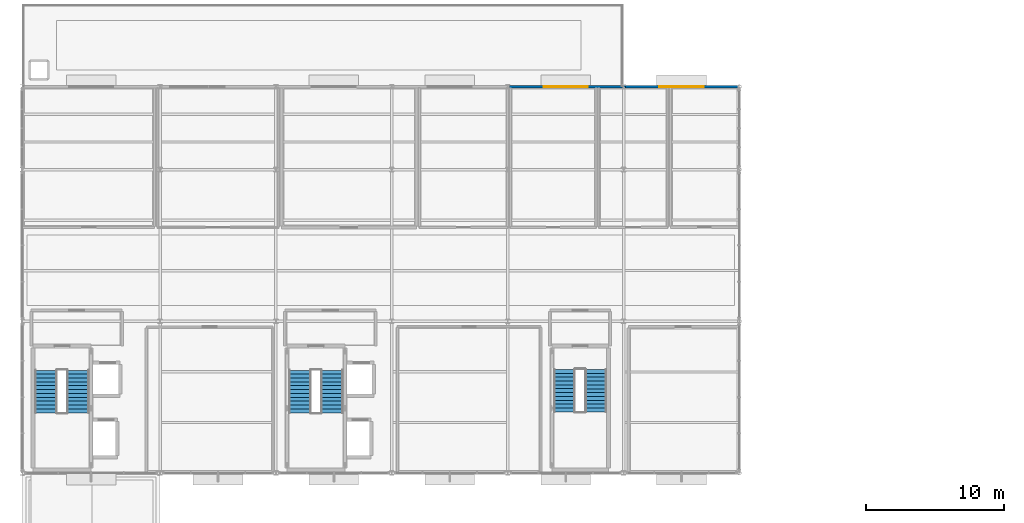
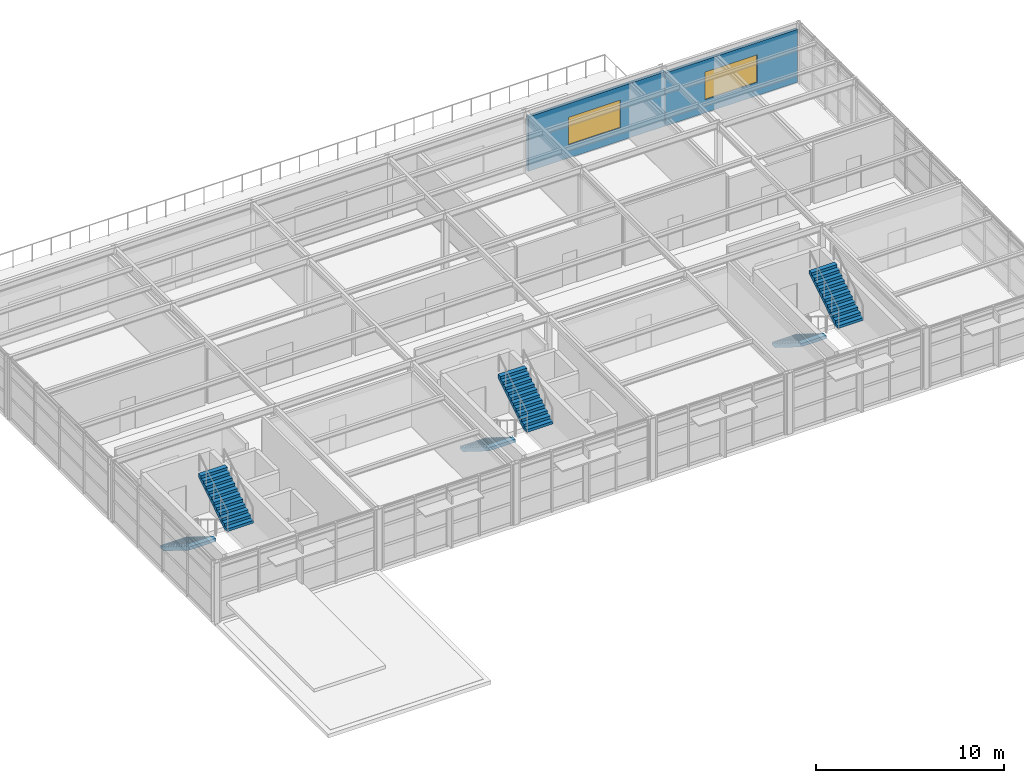
# One storey, part 19 of 21: 6 stair flights, 2 walls, 2 windows, 2 openings, 3 elements without a shape of their own.
"""IFC4 building model written with IfcOpenShell, lengths in metres."""

from ifc_helpers import new_model, si_unit, direction, frame, frame_2d, origin, place, context, subcontext, project, spatial, polyline, rectangle, outline, extrude, material, layer, layer_set, type_object, element, fill, aggregate, save


model = new_model("IFC4")

# Units and contexts
model_context = context("Model", 3, precision=1e-05, world=origin(), true_north=direction((0.0, 1.0)))
body_context = subcontext(model_context, "Body", "Model", "MODEL_VIEW")
ifc_project = project(units=[si_unit("LENGTHUNIT", "METRE"), si_unit("AREAUNIT", "SQUARE_METRE"), si_unit("VOLUMEUNIT", "CUBIC_METRE"), si_unit("PLANEANGLEUNIT", "RADIAN"), si_unit("MASSUNIT", "GRAM", prefix="KILO")], contexts=[model_context])

# Site, building, storey
site_placement = place(None, origin())
site = spatial("IfcSite", under=ifc_project, at=site_placement, CompositionType="ELEMENT")
building_placement = place(site_placement, origin())
building = spatial("IfcBuilding", under=site, at=building_placement, Name="Sitalva Quay Ferry Terminal", CompositionType="ELEMENT")
storey_placement = place(building_placement, frame((0.0, 0.0, 14.39990234375)))
storey = spatial("IfcBuildingStorey", under=building, at=storey_placement, Name="L04", CompositionType="ELEMENT", Elevation=14.39990234375)

# Wall, opening, window
ifc_material_1 = material(Name="Architectural Concrete C40/50", Category="concrete")
ifc_layer = layer(ifc_material_1, 0.18994140625)
ifc_layer_set = layer_set([ifc_layer], Name="Architectural Concrete C40/50")
wall_type = type_object("IfcWallType", Name="Wall_ExtSpandrel_190", PredefinedType="SOLIDWALL", material=ifc_layer_set)
wall_1_placement = place(storey_placement, frame((109.337890625, 106.0, 0.0), z_axis=(0.0, 0.0, 1.0), x_axis=(1.0, 0.0, 0.0)))
wall_1 = element("IfcWall", 1, at=wall_1_placement, inside=storey, type_object=wall_type, Name="L04 pilotage north ribbon facade EW-L04-187", PredefinedType="SOLIDWALL", context=body_context, shape_type="SweptSolid", body=[
    extrude(rectangle(XDim=8.412109375, YDim=0.18994140625, at=frame_2d((4.2060546875, 0.0))), origin(), (0.0, 0.0, 1.0), 3.531005859375),
])
opening_1_placement = place(wall_1_placement, frame((2.4619140625, 0.0, 0.85009765625)))
opening_1 = element("IfcOpeningElement", 2, at=opening_1_placement, cuts=wall_1, Name="Opening WN-L04-073", PredefinedType="OPENING", context=body_context, shape_type="SweptSolid", body=[
    extrude(rectangle(XDim=3.199951171875, YDim=1.800048828125, at=frame_2d((1.60009765625, 0.89990234375))), frame((0.0, 0.10498046875, 0.0), z_axis=(0.0, -1.0, 0.0), x_axis=(1.0, 0.0, 0.0)), (0.0, 0.0, 1.0), 0.2099609375),
])
ifc_material_2 = material(Name="Anti-Glare Marine Bridge Glazing", Category="glass")
window_type = type_object("IfcWindowType", Name="Win_VTS_3200x1800", PartitioningType="SINGLE_PANEL", PredefinedType="WINDOW", material=ifc_material_2)
window_1_placement = place(opening_1_placement, origin())
window_1 = element("IfcWindow", 3, at=window_1_placement, inside=storey, type_object=window_type, Name="L04 radar/pilotage north window WN-L04-073", OverallHeight=1.800048828125, OverallWidth=3.199951171875, PartitioningType="SINGLE_PANEL", PredefinedType="WINDOW", context=body_context, shape_type="SweptSolid", body=[
    extrude(rectangle(XDim=3.199951171875, YDim=1.800048828125, at=frame_2d((1.60009765625, 0.89990234375))), frame((0.0, 0.030029296875, 0.0), z_axis=(0.0, -1.0, 0.0), x_axis=(1.0, 0.0, 0.0)), (0.0, 0.0, 1.0), 0.06005859375),
])
fill(opening_1, window_1)

wall_2_placement = place(storey_placement, frame((117.738037109375, 106.0, 0.0), z_axis=(0.0, 0.0, 1.0), x_axis=(1.0, 0.0, 0.0)))
wall_2 = element("IfcWall", 4, at=wall_2_placement, inside=storey, type_object=wall_type, Name="L04 pilotage north ribbon facade EW-L04-188", PredefinedType="SOLIDWALL", context=body_context, shape_type="SweptSolid", body=[
    extrude(rectangle(XDim=8.140380859375, YDim=0.18994140625, at=frame_2d((4.0703125, 0.0))), origin(), (0.0, 0.0, 1.0), 3.43798828125),
])
opening_2_placement = place(wall_2_placement, frame((2.4619140625, 0.0, 0.85009765625)))
opening_2 = element("IfcOpeningElement", 5, at=opening_2_placement, cuts=wall_2, Name="Opening WN-L04-074", PredefinedType="OPENING", context=body_context, shape_type="SweptSolid", body=[
    extrude(rectangle(XDim=3.199951171875, YDim=1.800048828125, at=frame_2d((1.60009765625, 0.89990234375))), frame((0.0, 0.10498046875, 0.0), z_axis=(0.0, -1.0, 0.0), x_axis=(1.0, 0.0, 0.0)), (0.0, 0.0, 1.0), 0.2099609375),
])
window_2_placement = place(opening_2_placement, origin())
window_2 = element("IfcWindow", 6, at=window_2_placement, inside=storey, type_object=window_type, Name="L04 radar/pilotage north window WN-L04-074", OverallHeight=1.800048828125, OverallWidth=3.199951171875, PartitioningType="SINGLE_PANEL", PredefinedType="WINDOW", context=body_context, shape_type="SweptSolid", body=[
    extrude(rectangle(XDim=3.199951171875, YDim=1.800048828125, at=frame_2d((1.60009765625, 0.89990234375))), frame((0.0, 0.030029296875, 0.0), z_axis=(0.0, -1.0, 0.0), x_axis=(1.0, 0.0, 0.0)), (0.0, 0.0, 1.0), 0.06005859375),
])
fill(opening_2, window_2)

# Stair, stair flights
ifc_material_3 = material(Name="Concrete C35/45", Category="concrete")
stair_type_1 = type_object("IfcStairType", Name="Stair_CoreDogLeg_1400", PredefinedType="HALF_TURN_STAIR", material=ifc_material_3)
stair_1_placement = place(storey_placement, origin())
stair_1 = element("IfcStair", 7, at=stair_1_placement, inside=storey, type_object=stair_type_1, Name="L04 Core C4 stair ST-04", PredefinedType="HALF_TURN_STAIR")
ifc_material_4 = material(Name="Concrete C35/45", Category="concrete")
stair_flight_type_1 = type_object("IfcStairFlightType", Name="Stair_CoreDogLeg_1400_Flight", PredefinedType="STRAIGHT", material=ifc_material_4)
stair_flight_1_placement = place(storey_placement, frame((113.31005859375, 85.510009765625, 0.0), z_axis=(0.0, 0.0, 1.0), x_axis=(0.0, -1.0, 0.0)))
stair_flight_1 = element("IfcStairFlight", 8, at=stair_flight_1_placement, type_object=stair_flight_type_1, Name="ST-04 flight 1", NumberOfRisers=12, NumberOfTreads=11, PredefinedType="STRAIGHT", RiserHeight=0.175, TreadLength=0.28, context=body_context, shape_type="SweptSolid", body=[
    extrude(outline(polyline([(0.0, 0.0), (0.0, 0.175048828125), (0.280029296875, 0.175048828125), (0.280029296875, 0.35009765625), (0.56005859375, 0.35009765625), (0.56005859375, 0.52490234375), (0.840087890625, 0.52490234375), (0.840087890625, 0.699951171875), (1.1201171875, 0.699951171875), (1.1201171875, 0.875), (1.39990234375, 0.875), (1.39990234375, 1.050048828125), (1.679931640625, 1.050048828125), (1.679931640625, 1.22509765625), (1.9599609375, 1.22509765625), (1.9599609375, 1.39990234375), (2.239990234375, 1.39990234375), (2.239990234375, 1.574951171875), (2.52001953125, 1.574951171875), (2.52001953125, 1.75), (2.800048828125, 1.75), (2.800048828125, 1.925048828125), (3.080078125, 1.925048828125), (3.080078125, 2.10009765625), (3.080078125, 1.712890625), (2.8515625, 1.570068359375), (2.623291015625, 1.42724609375), (2.394775390625, 1.28466796875), (2.16650390625, 1.141845703125), (1.938232421875, 0.9990234375), (1.709716796875, 0.8564453125), (1.4814453125, 0.713623046875), (1.2529296875, 0.571044921875), (1.024658203125, 0.42822265625), (0.796142578125, 0.285400390625), (0.56787109375, 0.142822265625), (0.339599609375, 0.0), (0.0, 0.0)])), frame((0.0, 0.780029296875, 0.0), z_axis=(0.0, -1.0, 0.0), x_axis=(1.0, 0.0, 0.0)), (0.0, 0.0, 1.0), 1.56005859375),
])
stair_flight_2_placement = place(storey_placement, frame((115.590087890625, 82.429931640625, 2.10009765625), z_axis=(0.0, 0.0, 1.0), x_axis=(0.0, 1.0, 0.0)))
stair_flight_2 = element("IfcStairFlight", 9, at=stair_flight_2_placement, type_object=stair_flight_type_1, Name="ST-04 flight 2", NumberOfRisers=12, NumberOfTreads=11, PredefinedType="STRAIGHT", RiserHeight=0.175, TreadLength=0.28, context=body_context, shape_type="SweptSolid", body=[
    extrude(outline(polyline([(0.0, 0.0), (0.0, 0.175048828125), (0.280029296875, 0.175048828125), (0.280029296875, 0.35009765625), (0.56005859375, 0.35009765625), (0.56005859375, 0.52490234375), (0.840087890625, 0.52490234375), (0.840087890625, 0.699951171875), (1.1201171875, 0.699951171875), (1.1201171875, 0.875), (1.39990234375, 0.875), (1.39990234375, 1.050048828125), (1.679931640625, 1.050048828125), (1.679931640625, 1.22509765625), (1.9599609375, 1.22509765625), (1.9599609375, 1.39990234375), (2.239990234375, 1.39990234375), (2.239990234375, 1.574951171875), (2.52001953125, 1.574951171875), (2.52001953125, 1.75), (2.800048828125, 1.75), (2.800048828125, 1.925048828125), (3.080078125, 1.925048828125), (3.080078125, 2.10009765625), (3.080078125, 1.712890625), (2.8515625, 1.570068359375), (2.623291015625, 1.42724609375), (2.394775390625, 1.28466796875), (2.16650390625, 1.141845703125), (1.938232421875, 0.9990234375), (1.709716796875, 0.8564453125), (1.4814453125, 0.713623046875), (1.2529296875, 0.571044921875), (1.024658203125, 0.42822265625), (0.796142578125, 0.285400390625), (0.56787109375, 0.142822265625), (0.339599609375, 0.0), (0.0, 0.0)])), frame((0.0, 0.780029296875, 0.0), z_axis=(0.0, -1.0, 0.0), x_axis=(1.0, 0.0, 0.0)), (0.0, 0.0, 1.0), 1.56005859375),
])
aggregate(stair_1, [stair_flight_1, stair_flight_2])

ifc_material_5 = material(Name="Concrete C35/45", Category="concrete")
stair_type_2 = type_object("IfcStairType", Name="Stair_CoreDogLeg_1500", PredefinedType="HALF_TURN_STAIR", material=ifc_material_5)
stair_2_placement = place(storey_placement, origin())
stair_2 = element("IfcStair", 10, at=stair_2_placement, inside=storey, type_object=stair_type_2, Name="L04 Core C1 stair ST-01", PredefinedType="HALF_TURN_STAIR")
ifc_material_6 = material(Name="Concrete C35/45", Category="concrete")
stair_flight_type_2 = type_object("IfcStairFlightType", Name="Stair_CoreDogLeg_1500_Flight", PredefinedType="STRAIGHT", material=ifc_material_6)
stair_flight_3_placement = place(storey_placement, frame((75.739990234375, 85.449951171875, 0.0), z_axis=(0.0, 0.0, 1.0), x_axis=(0.0, -1.0, 0.0)))
stair_flight_3 = element("IfcStairFlight", 11, at=stair_flight_3_placement, type_object=stair_flight_type_2, Name="ST-01 flight 1", NumberOfRisers=12, NumberOfTreads=11, PredefinedType="STRAIGHT", RiserHeight=0.175, TreadLength=0.28, context=body_context, shape_type="SweptSolid", body=[
    extrude(outline(polyline([(0.0, 0.0), (0.0, 0.175048828125), (0.280029296875, 0.175048828125), (0.280029296875, 0.35009765625), (0.56005859375, 0.35009765625), (0.56005859375, 0.52490234375), (0.840087890625, 0.52490234375), (0.840087890625, 0.699951171875), (1.1201171875, 0.699951171875), (1.1201171875, 0.875), (1.39990234375, 0.875), (1.39990234375, 1.050048828125), (1.679931640625, 1.050048828125), (1.679931640625, 1.22509765625), (1.9599609375, 1.22509765625), (1.9599609375, 1.39990234375), (2.239990234375, 1.39990234375), (2.239990234375, 1.574951171875), (2.52001953125, 1.574951171875), (2.52001953125, 1.75), (2.800048828125, 1.75), (2.800048828125, 1.925048828125), (3.080078125, 1.925048828125), (3.080078125, 2.10009765625), (3.080078125, 1.712890625), (2.8515625, 1.570068359375), (2.623291015625, 1.42724609375), (2.394775390625, 1.28466796875), (2.16650390625, 1.141845703125), (1.938232421875, 0.9990234375), (1.709716796875, 0.8564453125), (1.4814453125, 0.713623046875), (1.2529296875, 0.571044921875), (1.024658203125, 0.42822265625), (0.796142578125, 0.285400390625), (0.56787109375, 0.142822265625), (0.339599609375, 0.0), (0.0, 0.0)])), frame((0.0, 0.81005859375, 0.0), z_axis=(0.0, -1.0, 0.0), x_axis=(1.0, 0.0, 0.0)), (0.0, 0.0, 1.0), 1.6201171875),
])
stair_flight_4_placement = place(storey_placement, frame((78.06005859375, 82.3701171875, 2.10009765625), z_axis=(0.0, 0.0, 1.0), x_axis=(0.0, 1.0, 0.0)))
stair_flight_4 = element("IfcStairFlight", 12, at=stair_flight_4_placement, type_object=stair_flight_type_2, Name="ST-01 flight 2", NumberOfRisers=12, NumberOfTreads=11, PredefinedType="STRAIGHT", RiserHeight=0.175, TreadLength=0.28, context=body_context, shape_type="SweptSolid", body=[
    extrude(outline(polyline([(0.0, 0.0), (0.0, 0.175048828125), (0.280029296875, 0.175048828125), (0.280029296875, 0.35009765625), (0.56005859375, 0.35009765625), (0.56005859375, 0.52490234375), (0.840087890625, 0.52490234375), (0.840087890625, 0.699951171875), (1.1201171875, 0.699951171875), (1.1201171875, 0.875), (1.39990234375, 0.875), (1.39990234375, 1.050048828125), (1.679931640625, 1.050048828125), (1.679931640625, 1.22509765625), (1.9599609375, 1.22509765625), (1.9599609375, 1.39990234375), (2.239990234375, 1.39990234375), (2.239990234375, 1.574951171875), (2.52001953125, 1.574951171875), (2.52001953125, 1.75), (2.800048828125, 1.75), (2.800048828125, 1.925048828125), (3.080078125, 1.925048828125), (3.080078125, 2.10009765625), (3.080078125, 1.712890625), (2.8515625, 1.570068359375), (2.623291015625, 1.42724609375), (2.394775390625, 1.28466796875), (2.16650390625, 1.141845703125), (1.938232421875, 0.9990234375), (1.709716796875, 0.8564453125), (1.4814453125, 0.713623046875), (1.2529296875, 0.571044921875), (1.024658203125, 0.42822265625), (0.796142578125, 0.285400390625), (0.56787109375, 0.142822265625), (0.339599609375, 0.0), (0.0, 0.0)])), frame((0.0, 0.81005859375, 0.0), z_axis=(0.0, -1.0, 0.0), x_axis=(1.0, 0.0, 0.0)), (0.0, 0.0, 1.0), 1.6201171875),
])
aggregate(stair_2, [stair_flight_3, stair_flight_4])

stair_3_placement = place(storey_placement, origin())
stair_3 = element("IfcStair", 13, at=stair_3_placement, inside=storey, type_object=stair_type_2, Name="L04 Core C2 stair ST-02", PredefinedType="HALF_TURN_STAIR")
stair_flight_5_placement = place(storey_placement, frame((94.139892578125, 85.449951171875, 0.0), z_axis=(0.0, 0.0, 1.0), x_axis=(0.0, -1.0, 0.0)))
stair_flight_5 = element("IfcStairFlight", 14, at=stair_flight_5_placement, type_object=stair_flight_type_2, Name="ST-02 flight 1", NumberOfRisers=12, NumberOfTreads=11, PredefinedType="STRAIGHT", RiserHeight=0.175, TreadLength=0.28, context=body_context, shape_type="SweptSolid", body=[
    extrude(outline(polyline([(0.0, 0.0), (0.0, 0.175048828125), (0.280029296875, 0.175048828125), (0.280029296875, 0.35009765625), (0.56005859375, 0.35009765625), (0.56005859375, 0.52490234375), (0.840087890625, 0.52490234375), (0.840087890625, 0.699951171875), (1.1201171875, 0.699951171875), (1.1201171875, 0.875), (1.39990234375, 0.875), (1.39990234375, 1.050048828125), (1.679931640625, 1.050048828125), (1.679931640625, 1.22509765625), (1.9599609375, 1.22509765625), (1.9599609375, 1.39990234375), (2.239990234375, 1.39990234375), (2.239990234375, 1.574951171875), (2.52001953125, 1.574951171875), (2.52001953125, 1.75), (2.800048828125, 1.75), (2.800048828125, 1.925048828125), (3.080078125, 1.925048828125), (3.080078125, 2.10009765625), (3.080078125, 1.712890625), (2.8515625, 1.570068359375), (2.623291015625, 1.42724609375), (2.394775390625, 1.28466796875), (2.16650390625, 1.141845703125), (1.938232421875, 0.9990234375), (1.709716796875, 0.8564453125), (1.4814453125, 0.713623046875), (1.2529296875, 0.571044921875), (1.024658203125, 0.42822265625), (0.796142578125, 0.285400390625), (0.56787109375, 0.142822265625), (0.339599609375, 0.0), (0.0, 0.0)])), frame((0.0, 0.81005859375, 0.0), z_axis=(0.0, -1.0, 0.0), x_axis=(1.0, 0.0, 0.0)), (0.0, 0.0, 1.0), 1.6201171875),
])
stair_flight_6_placement = place(storey_placement, frame((96.4599609375, 82.3701171875, 2.10009765625), z_axis=(0.0, 0.0, 1.0), x_axis=(0.0, 1.0, 0.0)))
stair_flight_6 = element("IfcStairFlight", 15, at=stair_flight_6_placement, type_object=stair_flight_type_2, Name="ST-02 flight 2", NumberOfRisers=12, NumberOfTreads=11, PredefinedType="STRAIGHT", RiserHeight=0.175, TreadLength=0.28, context=body_context, shape_type="SweptSolid", body=[
    extrude(outline(polyline([(0.0, 0.0), (0.0, 0.175048828125), (0.280029296875, 0.175048828125), (0.280029296875, 0.35009765625), (0.56005859375, 0.35009765625), (0.56005859375, 0.52490234375), (0.840087890625, 0.52490234375), (0.840087890625, 0.699951171875), (1.1201171875, 0.699951171875), (1.1201171875, 0.875), (1.39990234375, 0.875), (1.39990234375, 1.050048828125), (1.679931640625, 1.050048828125), (1.679931640625, 1.22509765625), (1.9599609375, 1.22509765625), (1.9599609375, 1.39990234375), (2.239990234375, 1.39990234375), (2.239990234375, 1.574951171875), (2.52001953125, 1.574951171875), (2.52001953125, 1.75), (2.800048828125, 1.75), (2.800048828125, 1.925048828125), (3.080078125, 1.925048828125), (3.080078125, 2.10009765625), (3.080078125, 1.712890625), (2.8515625, 1.570068359375), (2.623291015625, 1.42724609375), (2.394775390625, 1.28466796875), (2.16650390625, 1.141845703125), (1.938232421875, 0.9990234375), (1.709716796875, 0.8564453125), (1.4814453125, 0.713623046875), (1.2529296875, 0.571044921875), (1.024658203125, 0.42822265625), (0.796142578125, 0.285400390625), (0.56787109375, 0.142822265625), (0.339599609375, 0.0), (0.0, 0.0)])), frame((0.0, 0.81005859375, 0.0), z_axis=(0.0, -1.0, 0.0), x_axis=(1.0, 0.0, 0.0)), (0.0, 0.0, 1.0), 1.6201171875),
])
aggregate(stair_3, [stair_flight_5, stair_flight_6])

save(model, "model.ifc")
